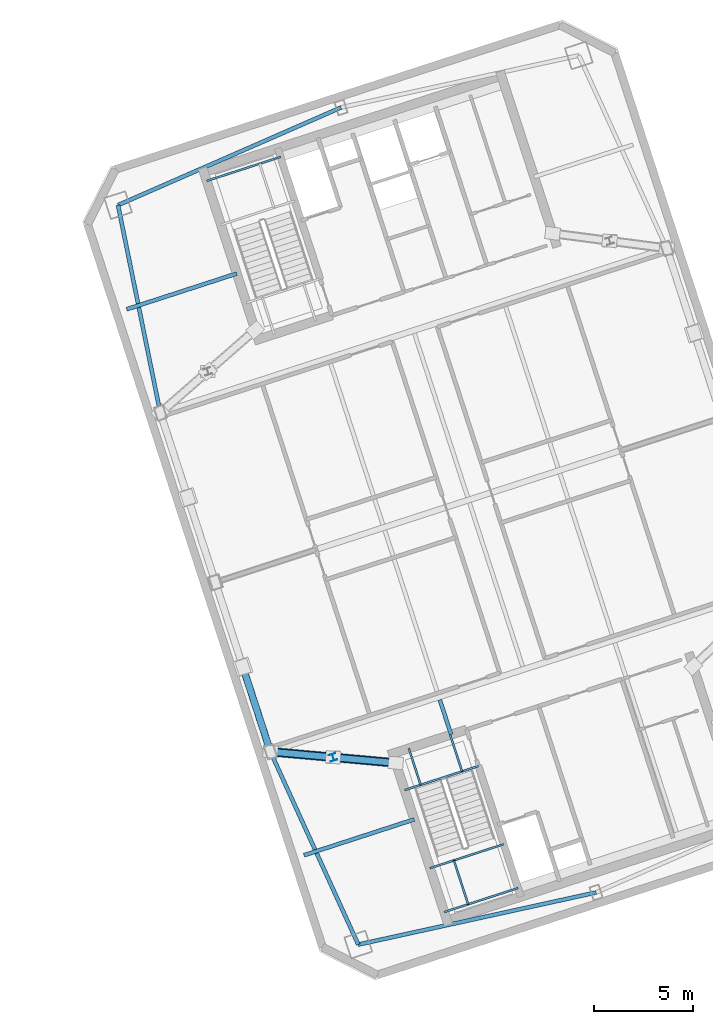
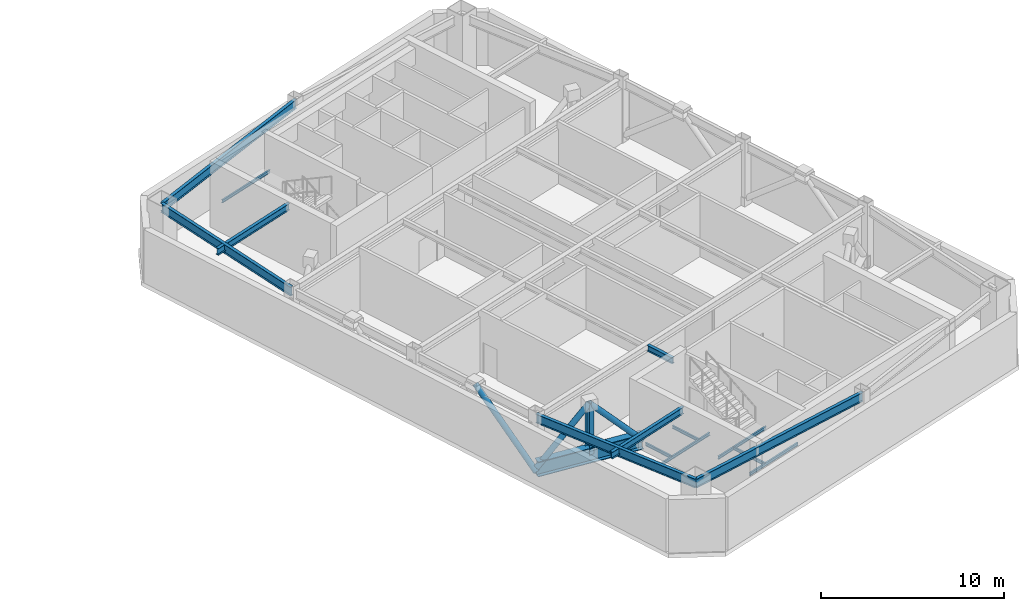
# One storey, part 6 of 17: 15 beams, 4 members.
"""IFC4 building model written with IfcOpenShell, lengths in metres."""

from ifc_helpers import new_model, si_unit, direction, frame, origin, origin_2d, place, context, subcontext, project, spatial, hollow_circle, i_section, extrude, material, material_profile, profile_set, type_object, element, save


model = new_model("IFC4")

# Units and contexts
model_context = context("Model", 3, precision=1e-05, world=origin(), true_north=direction((0.0, 1.0)))
body_context = subcontext(model_context, "Body", "Model", "MODEL_VIEW")
ifc_project = project(units=[si_unit("LENGTHUNIT", "METRE"), si_unit("AREAUNIT", "SQUARE_METRE"), si_unit("VOLUMEUNIT", "CUBIC_METRE"), si_unit("PLANEANGLEUNIT", "RADIAN"), si_unit("MASSUNIT", "GRAM", prefix="KILO")], contexts=[model_context])

# Site, building, storey
site_placement = place(None, origin())
site = spatial("IfcSite", under=ifc_project, at=site_placement, CompositionType="ELEMENT")
building_placement = place(site_placement, origin())
building = spatial("IfcBuilding", under=site, at=building_placement, Name="Qiaolan Cultural Towers", CompositionType="ELEMENT")
storey_placement = place(building_placement, frame((0.0, 0.0, 230.0)))
storey = spatial("IfcBuildingStorey", under=building, at=storey_placement, Name="L62", CompositionType="ELEMENT", Elevation=230.0)

# Beams
ifc_material_1 = material(Name="Steel Q390GJB", Category="steel")
ifc_material_profile_1 = material_profile(ifc_material_1, i_section(OverallWidth=0.449951171875, OverallDepth=1.0, WebThickness=0.02392578125, FlangeThickness=0.0400390625, at=origin_2d()), Name="BH1000x450x24x40")
ifc_profile_set_1 = profile_set([ifc_material_profile_1], Name="Steel Q390GJB")
beam_type_1 = type_object("IfcBeamType", Name="BM-BH1000x450x24x40", PredefinedType="BEAM", material=ifc_profile_set_1)
beam_1_placement = place(storey_placement, frame((86.32568359375, 20.71435546875, 0.5), z_axis=(-0.995980500791, 0.089570318994, 0.0), x_axis=(-0.089570318994, -0.995980500791, 0.0)))
element("IfcBeam", 1, at=beam_1_placement, inside=storey, type_object=beam_type_1, Name="L62 T2 Outrigger Bottom Chord Girder WS", PredefinedType="BEAM", context=body_context, shape_type="SweptSolid", body=[
    extrude(i_section(OverallWidth=0.449951171875, OverallDepth=1.0, WebThickness=0.02392578125, FlangeThickness=0.0400390625, at=origin_2d()), origin(), (0.0, 0.0, 1.0), 6.36181640625),
])
ifc_material_2 = material(Name="Steel Q355B", Category="steel")
ifc_material_profile_2 = material_profile(ifc_material_2, i_section(OverallWidth=0.199951171875, OverallDepth=0.39990234375, WebThickness=0.008056640625, FlangeThickness=0.012939453125, at=origin_2d()), Name="HN400x200x8x13")
ifc_profile_set_2 = profile_set([ifc_material_profile_2], Name="Steel Q355B")
beam_type_2 = type_object("IfcBeamType", Name="BM-JST-HN400x200x8x13", PredefinedType="JOIST", material=ifc_profile_set_2)
beam_2_placement = place(storey_placement, frame((89.119384765625, 22.147705078125, 3.93994140625), z_axis=(-0.308933885266, 0.951083516067, 0.0), x_axis=(-0.951083516067, -0.308933885266, 0.0)))
element("IfcBeam", 2, at=beam_2_placement, inside=storey, type_object=beam_type_2, Name="L62 T2 Secondary Floor Joist U1-1", PredefinedType="JOIST", context=body_context, shape_type="SweptSolid", body=[
    extrude(i_section(OverallWidth=0.199951171875, OverallDepth=0.39990234375, WebThickness=0.008056640625, FlangeThickness=0.012939453125, at=origin_2d()), origin(), (0.0, 0.0, 1.0), 1.85009765625),
])
ifc_material_3 = material(Name="Steel Q355B", Category="steel")
ifc_material_profile_3 = material_profile(ifc_material_3, i_section(OverallWidth=0.199951171875, OverallDepth=0.449951171875, WebThickness=0.009033203125, FlangeThickness=0.013916015625, at=origin_2d()), Name="HN450x200x9x14")
ifc_profile_set_3 = profile_set([ifc_material_profile_3], Name="Steel Q355B")
beam_type_3 = type_object("IfcBeamType", Name="BM-LNT-HN450x200x9x14", PredefinedType="LINTEL", material=ifc_profile_set_3)
for number, where, z_axis, x_axis, name in (
    (3, (87.252685546875, 17.861083984375, 3.9150390625), (-0.951063813276, -0.308994535675, 0.0), (0.308994535675, -0.951063813276, 0.0), "L62 T2 Core Flank Tie Lintel WS"),
    (4, (78.291259765625, 45.44189453125, 3.9150390625), (-0.951051548326, -0.309032283793, 0.0), (0.309032283793, -0.951051548326, 0.0), "L62 T2 Core Flank Tie Lintel WN"),
):
    element("IfcBeam", number, at=place(storey_placement, frame(where, z_axis=z_axis, x_axis=x_axis)), inside=storey, type_object=beam_type_3, Name=name, PredefinedType="LINTEL", context=body_context, shape_type="SweptSolid", body=[
        extrude(i_section(OverallWidth=0.199951171875, OverallDepth=0.449951171875, WebThickness=0.009033203125, FlangeThickness=0.013916015625, at=origin_2d()), origin(), (0.0, 0.0, 1.0), 5.85009765625),
    ])
ifc_material_4 = material(Name="Steel Q355B", Category="steel")
ifc_material_profile_4 = material_profile(ifc_material_4, i_section(OverallWidth=0.199951171875, OverallDepth=0.60009765625, WebThickness=0.010986328125, FlangeThickness=0.01708984375, at=origin_2d()), Name="HN600x200x11x17")
ifc_profile_set_4 = profile_set([ifc_material_profile_4], Name="Steel Q355B")
beam_type_4 = type_object("IfcBeamType", Name="BM-SPD-HN600x200x11x17", PredefinedType="SPANDREL", material=ifc_profile_set_4)
beam_3_placement = place(storey_placement, frame((84.42822265625, 11.538818359375, 3.840087890625), z_axis=(0.976843395078, 0.213955559619, 0.0), x_axis=(-0.213955559619, 0.976843395078, 0.0)))
element("IfcBeam", 5, at=beam_3_placement, inside=storey, type_object=beam_type_4, Name="L62 T2 Perimeter Spandrel Beam 1", PredefinedType="SPANDREL", context=body_context, shape_type="SweptSolid", body=[
    extrude(i_section(OverallWidth=0.199951171875, OverallDepth=0.60009765625, WebThickness=0.010986328125, FlangeThickness=0.01708984375, at=origin_2d()), origin(), (0.0, 0.0, 1.0), 12.2998046875),
])
beam_4_placement = place(storey_placement, frame((83.556884765625, 53.82958984375, 3.840087890625), z_axis=(-0.916042038824, -0.401082264762, 0.0), x_axis=(0.401082264762, -0.916042038824, 0.0)))
element("IfcBeam", 6, at=beam_4_placement, inside=storey, type_object=beam_type_4, Name="L62 T2 Perimeter Spandrel Beam 8", PredefinedType="SPANDREL", context=body_context, shape_type="SweptSolid", body=[
    extrude(i_section(OverallWidth=0.199951171875, OverallDepth=0.60009765625, WebThickness=0.010986328125, FlangeThickness=0.01708984375, at=origin_2d()), origin(), (0.0, 0.0, 1.0), 12.299560546875),
])
for number, where, z_axis, x_axis, name in (
    (7, (72.2900390625, 48.896484375, 3.840087890625), (0.199578538116, -0.979881833245, 0.0), (0.979881833245, 0.199578538116, 0.0), "L62 T2 Perimeter Spandrel Beam 9"),
    (8, (79.989501953125, 21.2841796875, 3.840087890625), (0.414500208282, -0.910049216985, 0.0), (0.910049216985, 0.414500208282, 0.0), "L62 T2 Perimeter Spandrel Beam 12"),
):
    element("IfcBeam", number, at=place(storey_placement, frame(where, z_axis=z_axis, x_axis=x_axis)), inside=storey, type_object=beam_type_4, Name=name, PredefinedType="SPANDREL", context=body_context, shape_type="SweptSolid", body=[
        extrude(i_section(OverallWidth=0.199951171875, OverallDepth=0.60009765625, WebThickness=0.010986328125, FlangeThickness=0.01708984375, at=origin_2d()), origin(), (0.0, 0.0, 1.0), 10.70849609375),
    ])
ifc_material_5 = material(Name="Steel Q355B", Category="steel")
ifc_material_profile_5 = material_profile(ifc_material_5, i_section(OverallWidth=0.10009765625, OverallDepth=0.199951171875, WebThickness=0.005615234375, FlangeThickness=0.008056640625, at=origin_2d()), Name="HN200x100x5.5x8")
ifc_profile_set_5 = profile_set([ifc_material_profile_5], Name="Steel Q355B")
beam_type_5 = type_object("IfcBeamType", Name="BM-STTRIM-200", PredefinedType="BEAM", material=ifc_profile_set_5)
beam_5_placement = place(storey_placement, frame((86.770751953125, 19.3447265625, -0.4599609375), z_axis=(0.951047798727, 0.309043823005, 0.0), x_axis=(-0.309043823005, 0.951047798727, 0.0)))
element("IfcBeam", 9, at=beam_5_placement, inside=storey, type_object=beam_type_5, Name="L62 ST-E1 Floor Landing Header Beam", PredefinedType="BEAM", context=body_context, shape_type="SweptSolid", body=[
    extrude(i_section(OverallWidth=0.10009765625, OverallDepth=0.199951171875, WebThickness=0.005615234375, FlangeThickness=0.008056640625, at=origin_2d()), origin(), (0.0, 0.0, 1.0), 3.919921875),
])
for number, where, z_axis, x_axis, name in (
    (10, (86.9794921875, 21.452392578125, -0.4599609375), (0.309083226701, -0.951034993558, 0.0), (0.951034993558, 0.309083226701, 0.0), "L62 ST-E1 Floor Landing Stringer 1"),
    (11, (89.07177734375, 22.13232421875, -0.4599609375), (0.309083226701, -0.951034993558, 0.0), (0.951034993558, 0.309083226701, 0.0), "L62 ST-E1 Floor Landing Stringer 2"),
):
    element("IfcBeam", number, at=place(storey_placement, frame(where, z_axis=z_axis, x_axis=x_axis)), inside=storey, type_object=beam_type_5, Name=name, PredefinedType="BEAM", context=body_context, shape_type="SweptSolid", body=[
        extrude(i_section(OverallWidth=0.10009765625, OverallDepth=0.199951171875, WebThickness=0.005615234375, FlangeThickness=0.008056640625, at=origin_2d()), origin(), (0.0, 0.0, 1.0), 1.93994140625),
    ])
for number, where, z_axis, x_axis, name in (
    (12, (88.052734375, 15.399169921875, 1.89990234375), (0.951047798727, 0.309043823005, 0.0), (-0.309043823005, 0.951047798727, 0.0), "L62 ST-E1 Stair Landing Support Beam 1-1"),
    (13, (88.773193359375, 13.181884765625, 1.89990234375), (0.951047798727, 0.309043823005, 0.0), (-0.309043823005, 0.951047798727, 0.0), "L62 ST-E1 Stair Landing Support Beam 1-2"),
):
    element("IfcBeam", number, at=place(storey_placement, frame(where, z_axis=z_axis, x_axis=x_axis)), inside=storey, type_object=beam_type_5, Name=name, PredefinedType="BEAM", context=body_context, shape_type="SweptSolid", body=[
        extrude(i_section(OverallWidth=0.10009765625, OverallDepth=0.199951171875, WebThickness=0.005615234375, FlangeThickness=0.008056640625, at=origin_2d()), origin(), (0.0, 0.0, 1.0), 3.919921875),
    ])
beam_6_placement = place(storey_placement, frame((89.260498046875, 15.79150390625, 1.89990234375), z_axis=(0.30905528694, -0.951044073434, 0.0), x_axis=(0.951044073434, 0.30905528694, 0.0)))
element("IfcBeam", 14, at=beam_6_placement, inside=storey, type_object=beam_type_5, Name="L62 ST-E1 Stair Landing Trimmer 1", PredefinedType="BEAM", context=body_context, shape_type="SweptSolid", body=[
    extrude(i_section(OverallWidth=0.10009765625, OverallDepth=0.199951171875, WebThickness=0.005615234375, FlangeThickness=0.008056640625, at=origin_2d()), origin(), (0.0, 0.0, 1.0), 2.3310546875),
])
beam_7_placement = place(storey_placement, frame((76.770751953125, 50.12109375, 1.89990234375), z_axis=(0.951072048947, 0.3089691857, 0.0), x_axis=(-0.3089691857, 0.951072048947, 0.0)))
element("IfcBeam", 15, at=beam_7_placement, inside=storey, type_object=beam_type_5, Name="L62 ST-E2 Stair Landing Support Beam 1-2", PredefinedType="BEAM", context=body_context, shape_type="SweptSolid", body=[
    extrude(i_section(OverallWidth=0.10009765625, OverallDepth=0.199951171875, WebThickness=0.005615234375, FlangeThickness=0.008056640625, at=origin_2d()), origin(), (0.0, 0.0, 1.0), 3.920166015625),
])

# Members
ifc_material_6 = material(Name="Steel Q355B", Category="steel")
ifc_material_profile_6 = material_profile(ifc_material_6, hollow_circle(Radius=0.175537109375, WallThickness=0.01611328125, at=origin_2d()), Name="CHS351x16")
ifc_profile_set_6 = profile_set([ifc_material_profile_6], Name="Steel Q355B")
member_type_1 = type_object("IfcMemberType", Name="MBR-BRC-CHS351x16", PredefinedType="BRACE", material=ifc_profile_set_6)
member_1_placement = place(storey_placement, frame((86.32568359375, 20.71435546875, 0.5), z_axis=(-0.682602321303, 0.061385290049, 0.728207331134), x_axis=(-0.089566895562, -0.99598080866, 0.0)))
element("IfcMember", 16, at=member_1_placement, inside=storey, type_object=member_type_1, Name="L62 T2 Outrigger Truss Diagonal WS-1", PredefinedType="BRACE", context=body_context, shape_type="SweptSolid", body=[
    extrude(hollow_circle(Radius=0.175537109375, WallThickness=0.01611328125, at=origin_2d()), origin(), (0.0, 0.0, 1.0), 4.641357421875),
])
member_2_placement = place(storey_placement, frame((83.157470703125, 20.999267578125, 3.8798828125), z_axis=(-0.682574228047, 0.061387494153, -0.728233478197), x_axis=(-0.089573742686, -0.995980192886, 0.0)))
element("IfcMember", 17, at=member_2_placement, inside=storey, type_object=member_type_1, Name="L62 T2 Outrigger Truss Diagonal WS-2", PredefinedType="BRACE", context=body_context, shape_type="SweptSolid", body=[
    extrude(hollow_circle(Radius=0.175537109375, WallThickness=0.01611328125, at=origin_2d()), origin(), (0.0, 0.0, 1.0), 4.64111328125),
])
member_3_placement = place(storey_placement, frame((79.989501953125, 21.2841796875, 0.199951171875), z_axis=(-0.236621947773, 0.728227307666, 0.643191295185), x_axis=(-0.951054001411, -0.309024734286, 0.0)))
element("IfcMember", 18, at=member_3_placement, inside=storey, type_object=member_type_1, Name="L62 T2 Perimeter Belt Truss W1-A", PredefinedType="BRACE", context=body_context, shape_type="SweptSolid", body=[
    extrude(hollow_circle(Radius=0.175537109375, WallThickness=0.01611328125, at=origin_2d()), origin(), (0.0, 0.0, 1.0), 5.876953125),
])
ifc_material_7 = material(Name="Steel Q355B", Category="steel")
ifc_material_profile_7 = material_profile(ifc_material_7, i_section(OverallWidth=0.35009765625, OverallDepth=0.35009765625, WebThickness=0.011962890625, FlangeThickness=0.01904296875, at=origin_2d()), Name="HW350x350x12x19")
ifc_profile_set_7 = profile_set([ifc_material_profile_7], Name="Steel Q355B")
member_type_2 = type_object("IfcMemberType", Name="MBR-POST-HW350x350x12x19", PredefinedType="STUD", material=ifc_profile_set_7)
member_4_placement = place(storey_placement, frame((83.157470703125, 20.999267578125, 0.5), z_axis=(0.0, 0.0, 1.0), x_axis=(0.951056516295, 0.309016994375, 0.0)))
element("IfcMember", 19, at=member_4_placement, inside=storey, type_object=member_type_2, Name="L62 T2 Outrigger King Web WS", PredefinedType="STUD", context=body_context, shape_type="SweptSolid", body=[
    extrude(i_section(OverallWidth=0.35009765625, OverallDepth=0.35009765625, WebThickness=0.011962890625, FlangeThickness=0.01904296875, at=origin_2d()), origin(), (0.0, 0.0, 1.0), 3.3798828125),
])

save(model, "model.ifc")
